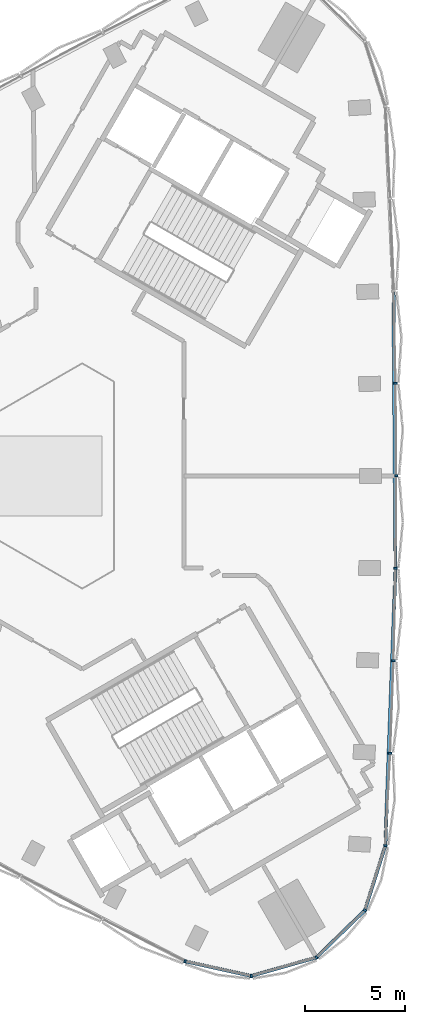
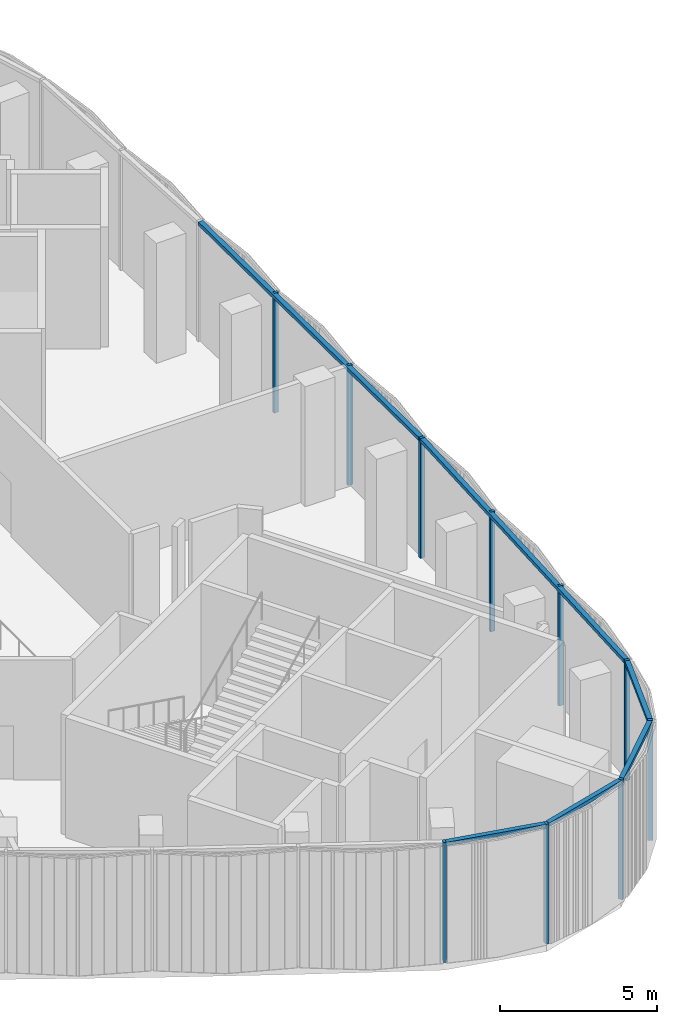
# One storey, part 3 of 15: 16 members, 2 elements without a shape of their own.
"""IFC4 building model written with IfcOpenShell, lengths in metres."""

from ifc_helpers import new_model, si_unit, direction, frame, origin, origin_2d, place, context, subcontext, project, spatial, rectangle, extrude, material, material_profile, profile_set, type_object, element, aggregate, save


model = new_model("IFC4")

# Units and contexts
model_context = context("Model", 3, precision=1e-05, world=origin(), true_north=direction((0.0, 1.0)))
body_context = subcontext(model_context, "Body", "Model", "MODEL_VIEW")
ifc_project = project(units=[si_unit("LENGTHUNIT", "METRE"), si_unit("AREAUNIT", "SQUARE_METRE"), si_unit("VOLUMEUNIT", "CUBIC_METRE"), si_unit("PLANEANGLEUNIT", "RADIAN"), si_unit("MASSUNIT", "GRAM", prefix="KILO")], contexts=[model_context])

# Site, building, storey
site_placement = place(None, origin())
site = spatial("IfcSite", under=ifc_project, at=site_placement, CompositionType="ELEMENT")
building_placement = place(site_placement, origin())
building = spatial("IfcBuilding", under=site, at=building_placement, Name="Tamra Quay Hotel Tower", CompositionType="ELEMENT")
storey_placement = place(building_placement, frame((0.0, 0.0, 216.39990234375)))
storey = spatial("IfcBuildingStorey", under=building, at=storey_placement, Name="L54", CompositionType="ELEMENT", Elevation=216.39990234375)

# Curtain wall, members
ifc_material = material(Name="Aluminium 6063 anodised dark grey", Category="aluminium")
curtain_wall_type_1 = type_object("IfcCurtainWallType", Name="CW1 CURTAIN WALL", PredefinedType="NOTDEFINED", material=ifc_material)
curtain_wall_1_placement = place(storey_placement, origin())
curtain_wall_1 = element("IfcCurtainWall", 1, at=curtain_wall_1_placement, inside=storey, type_object=curtain_wall_type_1, Name="CW1 east face L54", PredefinedType="NOTDEFINED")
ifc_material_profile_1 = material_profile(ifc_material, rectangle(XDim=0.169921875, YDim=0.10009765625, at=origin_2d()), Name="MULLION 100X170")
ifc_profile_set_1 = profile_set([ifc_material_profile_1], Name="Aluminium 6063 anodised dark grey")
member_type_1 = type_object("IfcMemberType", Name="MULLION CW1 Z5", PredefinedType="MULLION", material=ifc_profile_set_1)
member_1_placement = place(storey_placement, frame((17.42333984375, -18.56689453125, 0.0), z_axis=(0.0, 0.0, 1.0), x_axis=(0.984105305588, -0.177585887711, 0.0)))
member_1 = element("IfcMember", 2, at=member_1_placement, type_object=member_type_1, Name="CW1 mullion L54.E.1", PredefinedType="MULLION", context=body_context, shape_type="SweptSolid", body=[
    extrude(rectangle(XDim=0.169921875, YDim=0.10009765625, at=origin_2d()), origin(), (0.0, 0.0, 1.0), 4.650146484375),
])
member_2_placement = place(storey_placement, frame((17.662109375, -13.9287109375, 0.0), z_axis=(0.0, 0.0, 1.0), x_axis=(0.999028207365, -0.044075400048, 0.0)))
member_2 = element("IfcMember", 3, at=member_2_placement, type_object=member_type_1, Name="CW1 mullion L54.E.2", PredefinedType="MULLION", context=body_context, shape_type="SweptSolid", body=[
    extrude(rectangle(XDim=0.169921875, YDim=0.10009765625, at=origin_2d()), origin(), (0.0, 0.0, 1.0), 4.650146484375),
])
member_3_placement = place(storey_placement, frame((17.832763671875, -9.287353515625, 0.0), z_axis=(0.0, 0.0, 1.0), x_axis=(0.999567588252, -0.029404702264, 0.0)))
member_3 = element("IfcMember", 4, at=member_3_placement, type_object=member_type_1, Name="CW1 mullion L54.E.3", PredefinedType="MULLION", context=body_context, shape_type="SweptSolid", body=[
    extrude(rectangle(XDim=0.169921875, YDim=0.10009765625, at=origin_2d()), origin(), (0.0, 0.0, 1.0), 4.650146484375),
])
member_4_placement = place(storey_placement, frame((17.93505859375, -4.64453125, 0.0), z_axis=(0.0, 0.0, 1.0), x_axis=(0.999891762033, -0.014712723045, 0.0)))
member_4 = element("IfcMember", 5, at=member_4_placement, type_object=member_type_1, Name="CW1 mullion L54.E.4", PredefinedType="MULLION", context=body_context, shape_type="SweptSolid", body=[
    extrude(rectangle(XDim=0.169921875, YDim=0.10009765625, at=origin_2d()), origin(), (0.0, 0.0, 1.0), 4.650146484375),
])
member_5_placement = place(storey_placement, frame((17.969482421875, 0.0, 0.0), z_axis=(0.0, 0.0, 1.0), x_axis=(1.0, 0.0, 0.0)))
member_5 = element("IfcMember", 6, at=member_5_placement, type_object=member_type_1, Name="CW1 mullion L54.E.5", PredefinedType="MULLION", context=body_context, shape_type="SweptSolid", body=[
    extrude(rectangle(XDim=0.169921875, YDim=0.10009765625, at=origin_2d()), origin(), (0.0, 0.0, 1.0), 4.650146484375),
])
member_6_placement = place(storey_placement, frame((17.93505859375, 4.64453125, 0.0), z_axis=(0.0, 0.0, 1.0), x_axis=(0.999891762033, 0.014712723045, 0.0)))
member_6 = element("IfcMember", 7, at=member_6_placement, type_object=member_type_1, Name="CW1 mullion L54.E.6", PredefinedType="MULLION", context=body_context, shape_type="SweptSolid", body=[
    extrude(rectangle(XDim=0.169921875, YDim=0.10009765625, at=origin_2d()), origin(), (0.0, 0.0, 1.0), 4.650146484375),
])

curtain_wall_type_2 = type_object("IfcCurtainWallType", Name="CW3 CURTAIN WALL", PredefinedType="NOTDEFINED", material=ifc_material)
curtain_wall_2_placement = place(storey_placement, origin())
curtain_wall_2 = element("IfcCurtainWall", 8, at=curtain_wall_2_placement, inside=storey, type_object=curtain_wall_type_2, Name="CW3 south-west face L54", PredefinedType="NOTDEFINED")
ifc_material_profile_2 = material_profile(ifc_material, rectangle(XDim=0.169921875, YDim=0.10009765625, at=origin_2d()), Name="MULLION 100X170")
ifc_profile_set_2 = profile_set([ifc_material_profile_2], Name="Aluminium 6063 anodised dark grey")
member_type_2 = type_object("IfcMemberType", Name="MULLION CW3 Z5", PredefinedType="MULLION", material=ifc_profile_set_2)
member_7_placement = place(storey_placement, frame((7.36767578125, -24.37255859375, 0.0), z_axis=(0.0, 0.0, 1.0), x_axis=(-0.338258762682, -0.941053138494, 0.0)))
member_7 = element("IfcMember", 9, at=member_7_placement, type_object=member_type_2, Name="CW3 mullion L54.SW.9", PredefinedType="MULLION", context=body_context, shape_type="SweptSolid", body=[
    extrude(rectangle(XDim=0.169921875, YDim=0.10009765625, at=origin_2d()), origin(), (0.0, 0.0, 1.0), 4.650146484375),
])
member_8_placement = place(storey_placement, frame((10.688232421875, -25.10791015625, 0.0), z_axis=(0.0, 0.0, 1.0), x_axis=(0.029222506575, -0.999572931361, 0.0)))
member_8 = element("IfcMember", 10, at=member_8_placement, type_object=member_type_2, Name="CW3 mullion L54.SW.10", PredefinedType="MULLION", context=body_context, shape_type="SweptSolid", body=[
    extrude(rectangle(XDim=0.169921875, YDim=0.10009765625, at=origin_2d()), origin(), (0.0, 0.0, 1.0), 4.650146484375),
])
member_9_placement = place(storey_placement, frame((13.960205078125, -24.1796875, 0.0), z_axis=(0.0, 0.0, 1.0), x_axis=(0.5, -0.866025403784, 0.0)))
member_9 = element("IfcMember", 11, at=member_9_placement, type_object=member_type_2, Name="CW3 mullion L54.SW.11", PredefinedType="MULLION", context=body_context, shape_type="SweptSolid", body=[
    extrude(rectangle(XDim=0.169921875, YDim=0.10009765625, at=origin_2d()), origin(), (0.0, 0.0, 1.0), 4.650146484375),
])
member_10_placement = place(storey_placement, frame((16.39990234375, -21.810302734375, 0.0), z_axis=(0.0, 0.0, 1.0), x_axis=(0.851044298206, -0.525093898736, 0.0)))
member_10 = element("IfcMember", 12, at=member_10_placement, type_object=member_type_2, Name="CW3 mullion L54.SW.12", PredefinedType="MULLION", context=body_context, shape_type="SweptSolid", body=[
    extrude(rectangle(XDim=0.169921875, YDim=0.10009765625, at=origin_2d()), origin(), (0.0, 0.0, 1.0), 4.650146484375),
])

# Member
ifc_material_profile_3 = material_profile(ifc_material, rectangle(XDim=0.169921875, YDim=0.139892578125, at=origin_2d()), Name="TRANSOM 170X140")
ifc_profile_set_3 = profile_set([ifc_material_profile_3], Name="Aluminium 6063 anodised dark grey")
member_type_3 = type_object("IfcMemberType", Name="TRANSOM CW1 Z5", PredefinedType="USERDEFINED", material=ifc_profile_set_3)
member_11_placement = place(storey_placement, frame((17.42578125, -18.516845703125, 4.580078125), z_axis=(0.036749216642, 0.999324519401, 0.0), x_axis=(-0.999324519401, 0.036749216642, 0.0)))
member_11 = element("IfcMember", 13, at=member_11_placement, type_object=member_type_3, Name="CW1 transom L54.E.1", ObjectType="TRANSOM", PredefinedType="USERDEFINED", context=body_context, shape_type="SweptSolid", body=[
    extrude(rectangle(XDim=0.169921875, YDim=0.139892578125, at=origin_2d()), origin(), (0.0, 0.0, 1.0), 13.83154296875),
])

member_12_placement = place(storey_placement, frame((17.935546875, -4.594482421875, 4.580078125), z_axis=(-0.00736013953, 0.999972913806, 0.0), x_axis=(-0.999972913806, -0.00736013953, 0.0)))
member_12 = element("IfcMember", 14, at=member_12_placement, type_object=member_type_3, Name="CW1 transom L54.E.4", ObjectType="TRANSOM", PredefinedType="USERDEFINED", context=body_context, shape_type="SweptSolid", body=[
    extrude(rectangle(XDim=0.169921875, YDim=0.139892578125, at=origin_2d()), origin(), (0.0, 0.0, 1.0), 13.832275390625),
])

aggregate(curtain_wall_1, [member_1, member_11, member_2, member_3, member_4, member_12, member_5, member_6])

ifc_material_profile_4 = material_profile(ifc_material, rectangle(XDim=0.169921875, YDim=0.139892578125, at=origin_2d()), Name="TRANSOM 170X140")
ifc_profile_set_4 = profile_set([ifc_material_profile_4], Name="Aluminium 6063 anodised dark grey")
member_type_4 = type_object("IfcMemberType", Name="TRANSOM CW3 Z5", PredefinedType="USERDEFINED", material=ifc_profile_set_4)
member_13_placement = place(storey_placement, frame((7.41650390625, -24.38330078125, 4.580078125), z_axis=(0.976336486658, -0.21625694167, 0.0), x_axis=(0.21625694167, 0.976336486658, 0.0)))
member_13 = element("IfcMember", 15, at=member_13_placement, type_object=member_type_4, Name="CW3 transom L54.SW.9", ObjectType="TRANSOM", PredefinedType="USERDEFINED", context=body_context, shape_type="SweptSolid", body=[
    extrude(rectangle(XDim=0.169921875, YDim=0.139892578125, at=origin_2d()), origin(), (0.0, 0.0, 1.0), 3.301025390625),
])

member_14_placement = place(storey_placement, frame((10.736328125, -25.09423828125, 4.580078125), z_axis=(0.962041330224, 0.272903790631, 0.0), x_axis=(-0.272903790631, 0.962041330224, 0.0)))
member_14 = element("IfcMember", 16, at=member_14_placement, type_object=member_type_4, Name="CW3 transom L54.SW.10", ObjectType="TRANSOM", PredefinedType="USERDEFINED", context=body_context, shape_type="SweptSolid", body=[
    extrude(rectangle(XDim=0.169921875, YDim=0.139892578125, at=origin_2d()), origin(), (0.0, 0.0, 1.0), 3.301025390625),
])

member_15_placement = place(storey_placement, frame((13.99609375, -24.14501953125, 4.580078125), z_axis=(0.71734908277, 0.696713925115, 0.0), x_axis=(-0.696713925115, 0.71734908277, 0.0)))
member_15 = element("IfcMember", 17, at=member_15_placement, type_object=member_type_4, Name="CW3 transom L54.SW.11", ObjectType="TRANSOM", PredefinedType="USERDEFINED", context=body_context, shape_type="SweptSolid", body=[
    extrude(rectangle(XDim=0.169921875, YDim=0.139892578125, at=origin_2d()), origin(), (0.0, 0.0, 1.0), 3.301025390625),
])

member_16_placement = place(storey_placement, frame((16.4150390625, -21.7626953125, 4.580078125), z_axis=(0.300855275674, 0.953669808214, 0.0), x_axis=(-0.953669808214, 0.300855275674, 0.0)))
member_16 = element("IfcMember", 18, at=member_16_placement, type_object=member_type_4, Name="CW3 transom L54.SW.12", ObjectType="TRANSOM", PredefinedType="USERDEFINED", context=body_context, shape_type="SweptSolid", body=[
    extrude(rectangle(XDim=0.169921875, YDim=0.139892578125, at=origin_2d()), origin(), (0.0, 0.0, 1.0), 3.301025390625),
])

aggregate(curtain_wall_2, [member_7, member_13, member_8, member_14, member_9, member_15, member_10, member_16])

save(model, "model.ifc")
